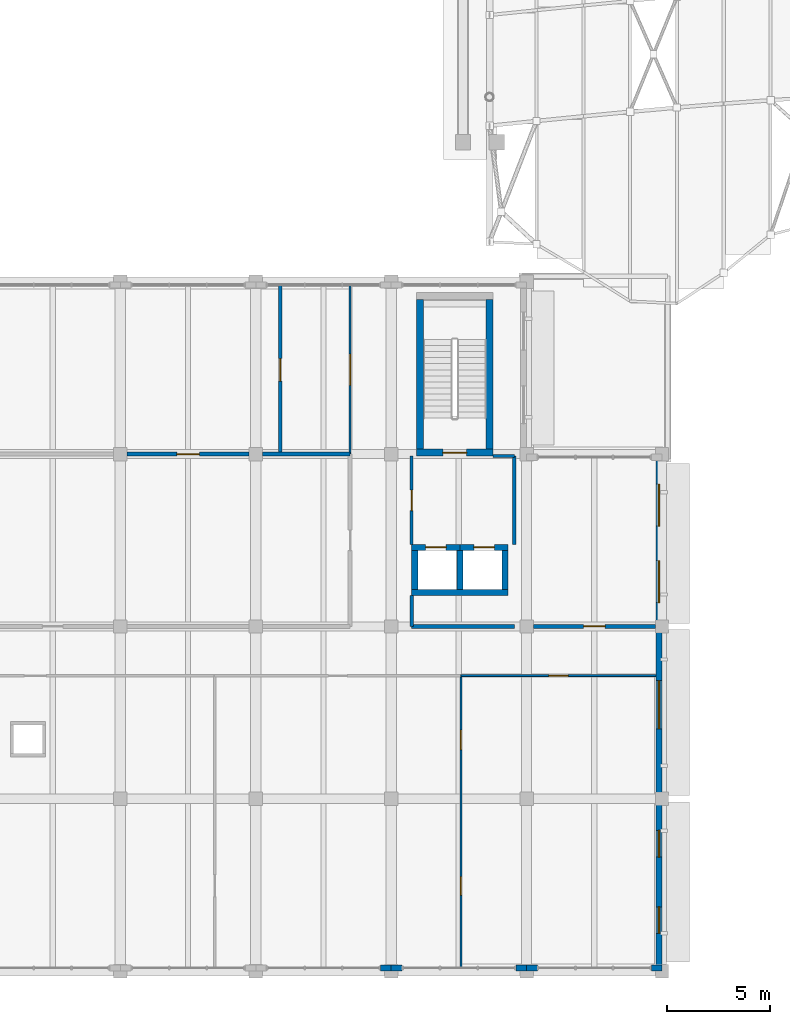
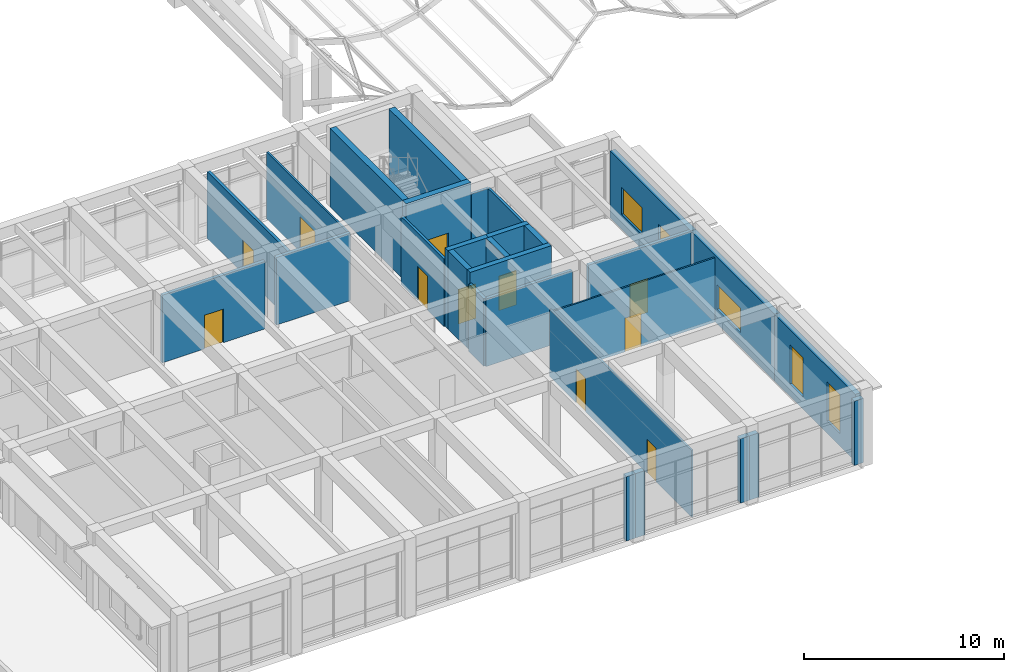
# One storey, part 51 of 79: 29 walls, 11 doors, 5 windows, 16 openings.
"""IFC4 building model written with IfcOpenShell, lengths in metres."""

from ifc_helpers import new_model, si_unit, direction, frame, frame_2d, origin, place, context, subcontext, project, spatial, rectangle, extrude, material, layer, layer_set, type_object, element, fill, save


model = new_model("IFC4")

# Units and contexts
model_context = context("Model", 3, precision=1e-05, world=origin(), true_north=direction((0.0, 1.0)))
body_context = subcontext(model_context, "Body", "Model", "MODEL_VIEW")
ifc_project = project(units=[si_unit("LENGTHUNIT", "METRE"), si_unit("AREAUNIT", "SQUARE_METRE"), si_unit("VOLUMEUNIT", "CUBIC_METRE"), si_unit("PLANEANGLEUNIT", "RADIAN"), si_unit("MASSUNIT", "GRAM", prefix="KILO")], contexts=[model_context])

# Site, building, storey
site_placement = place(None, origin())
site = spatial("IfcSite", under=ifc_project, at=site_placement, CompositionType="ELEMENT")
building_placement = place(site_placement, origin())
building = spatial("IfcBuilding", under=site, at=building_placement, Name="Kolvaren Faculty of Natural Sciences", CompositionType="ELEMENT")
storey_placement = place(building_placement, frame((0.0, 0.0, 10.199951171875)))
storey = spatial("IfcBuildingStorey", under=building, at=storey_placement, Name="L02", CompositionType="ELEMENT", Elevation=10.199951171875)

# Wall, opening, door
ifc_material_1 = material(Name="Concrete C40/50", Category="concrete")
ifc_layer_1 = layer(ifc_material_1, 0.35009765625)
ifc_layer_set_1 = layer_set([ifc_layer_1], Name="Concrete C40/50")
wall_type_1 = type_object("IfcWallType", Name="CoreShearWall_350", PredefinedType="SHEAR", material=ifc_layer_set_1)
wall_1_placement = place(storey_placement, frame((34.425048828125, 33.875, 0.0), z_axis=(0.0, 0.0, 1.0), x_axis=(1.0, 0.0, 0.0)))
wall_1 = element("IfcWall", 1, at=wall_1_placement, inside=storey, type_object=wall_type_1, Name="L02 CORE-C4 stair shear wall S", PredefinedType="SHEAR", context=body_context, shape_type="SweptSolid", body=[
    extrude(rectangle(XDim=3.75, YDim=0.35009765625, at=frame_2d((1.875, 0.0))), origin(), (0.0, 0.0, 1.0), 4.800048828125),
])
opening_1_placement = place(wall_1_placement, frame((1.300048828125, 0.0, 0.0)))
opening_1 = element("IfcOpeningElement", 2, at=opening_1_placement, cuts=wall_1, Name="Opening FD90", PredefinedType="OPENING", context=body_context, shape_type="SweptSolid", body=[
    extrude(rectangle(XDim=1.14990234375, YDim=2.14990234375, at=frame_2d((0.574951171875, 1.074951171875))), frame((0.0, 0.18505859375, 0.0), z_axis=(0.0, -1.0, 0.0), x_axis=(1.0, 0.0, 0.0)), (0.0, 0.0, 1.0), 0.3701171875),
])
ifc_material_2 = material(Name="Fire-rated solid-core hardwood door leaf in steel frame", Category="steel")
door_type_1 = type_object("IfcDoorType", Name="StairCoreFireDoor_1150x2150", OperationType="NOTDEFINED", PredefinedType="DOOR", material=ifc_material_2)
door_1_placement = place(opening_1_placement, origin())
door_1 = element("IfcDoor", 3, at=door_1_placement, inside=storey, type_object=door_type_1, Name="D-ST-ST-4-L02", OperationType="SINGLE_SWING_RIGHT", OverallHeight=2.14990234375, OverallWidth=1.14990234375, PredefinedType="DOOR", context=body_context, shape_type="SweptSolid", body=[
    extrude(rectangle(XDim=1.14990234375, YDim=2.14990234375, at=frame_2d((0.574951171875, 1.074951171875))), frame((0.0, 0.02490234375, 0.0), z_axis=(0.0, -1.0, 0.0), x_axis=(1.0, 0.0, 0.0)), (0.0, 0.0, 1.0), 0.050048828125),
])
fill(opening_1, door_1)

# Walls
for number, where, z_axis, x_axis, name in (
    (4, (34.60009765625, 34.050048828125, 0.0), (0.0, 0.0, 1.0), (0.0, 1.0, 0.0), "L02 CORE-C4 stair shear wall W"),
    (5, (38.0, 34.050048828125, 0.0), (0.0, 0.0, 1.0), (0.0, 1.0, 0.0), "L02 CORE-C4 stair shear wall E"),
):
    element("IfcWall", number, at=place(storey_placement, frame(where, z_axis=z_axis, x_axis=x_axis)), inside=storey, type_object=wall_type_1, Name=name, PredefinedType="SHEAR", context=body_context, shape_type="SweptSolid", body=[
        extrude(rectangle(XDim=7.27490234375, YDim=0.35009765625, at=frame_2d((3.637451171875, 0.0))), origin(), (0.0, 0.0, 1.0), 4.800048828125),
    ])

# Wall, opening, door
ifc_material_3 = material(Name="Acoustic mineral-wool insulated gypsum partition")
ifc_layer_2 = layer(ifc_material_3, 0.094970703125)
ifc_layer_set_2 = layer_set([ifc_layer_2], Name="Acoustic mineral-wool insulated gypsum partition")
wall_type_2 = type_object("IfcWallType", Name="CubiclePartition_095", PredefinedType="PARTITIONING", material=ifc_layer_set_2)
wall_2_placement = place(storey_placement, frame((36.60009765625, 23.0, 0.0), z_axis=(0.0, 0.0, 1.0), x_axis=(1.0, 0.0, 0.0)))
wall_2 = element("IfcWall", 6, at=wall_2_placement, inside=storey, type_object=wall_type_2, Name="L02 interior partition PW-095", PredefinedType="PARTITIONING", context=body_context, shape_type="SweptSolid", body=[
    extrude(rectangle(XDim=9.497802734375, YDim=0.094970703125, at=frame_2d((4.7490234375, 0.0))), origin(), (0.0, 0.0, 1.0), 3.93505859375),
])
opening_2_placement = place(wall_2_placement, frame((4.27392578125, 0.0, 0.0)))
opening_2 = element("IfcOpeningElement", 7, at=opening_2_placement, cuts=wall_2, Name="Opening ID-07", PredefinedType="OPENING", context=body_context, shape_type="SweptSolid", body=[
    extrude(rectangle(XDim=0.949951171875, YDim=2.06005859375, at=frame_2d((0.47509765625, 1.030029296875))), frame((0.0, 0.057373046875, 0.0), z_axis=(0.0, -1.0, 0.0), x_axis=(1.0, 0.0, 0.0)), (0.0, 0.0, 1.0), 0.114990234375),
])
ifc_material_4 = material(Name="Solid-core hardwood veneer door leaf in steel frame", Category="steel")
door_type_2 = type_object("IfcDoorType", Name="InteriorRoomDoor_950x2060", OperationType="NOTDEFINED", PredefinedType="DOOR", material=ifc_material_4)
door_2_placement = place(opening_2_placement, origin())
door_2 = element("IfcDoor", 8, at=door_2_placement, inside=storey, type_object=door_type_2, Name="D-L02-0193", OperationType="SINGLE_SWING_LEFT", OverallHeight=2.06005859375, OverallWidth=0.949951171875, PredefinedType="DOOR", context=body_context, shape_type="SweptSolid", body=[
    extrude(rectangle(XDim=0.949951171875, YDim=2.06005859375, at=frame_2d((0.47509765625, 1.030029296875))), frame((0.0, 0.02490234375, 0.0), z_axis=(0.0, -1.0, 0.0), x_axis=(1.0, 0.0, 0.0)), (0.0, 0.0, 1.0), 0.050048828125),
])
fill(opening_2, door_2)

# Wall, openings, windows
ifc_material_5 = material(Name="Sandstone-faced insulated cavity masonry", Category="masonry")
ifc_layer_3 = layer(ifc_material_5, 0.300048828125)
ifc_layer_set_3 = layer_set([ifc_layer_3], Name="Sandstone-faced insulated cavity masonry")
wall_type_3 = type_object("IfcWallType", Name="ExteriorCavityWall_300", PredefinedType="STANDARD", material=ifc_layer_set_3)
wall_3_placement = place(storey_placement, frame((46.25, 33.5, 0.0), z_axis=(0.0, 0.0, 1.0), x_axis=(0.0, -1.0, 0.0)))
wall_3 = element("IfcWall", 9, at=wall_3_placement, inside=storey, type_object=wall_type_3, Name="L02 exterior masonry wall EW-300 (333)", PredefinedType="STANDARD", context=body_context, shape_type="SweptSolid", body=[
    extrude(rectangle(XDim=8.10009765625, YDim=0.300048828125, at=frame_2d((4.050048828125, 0.0))), origin(), (0.0, 0.0, 1.0), 4.0849609375),
])
opening_3_placement = place(wall_3_placement, frame((1.162109375, 0.0, 0.89990234375)))
opening_3 = element("IfcOpeningElement", 10, at=opening_3_placement, cuts=wall_3, Name="Opening WIN-17", PredefinedType="OPENING", context=body_context, shape_type="SweptSolid", body=[
    extrude(rectangle(XDim=2.050048828125, YDim=1.64990234375, at=frame_2d((1.02490234375, 0.824951171875))), frame((0.0, 0.159912109375, 0.0), z_axis=(0.0, -1.0, 0.0), x_axis=(1.0, 0.0, 0.0)), (0.0, 0.0, 1.0), 0.320068359375),
])
opening_4_placement = place(wall_3_placement, frame((4.887939453125, 0.0, 0.89990234375)))
opening_4 = element("IfcOpeningElement", 11, at=opening_4_placement, cuts=wall_3, Name="Opening WIN-17", PredefinedType="OPENING", context=body_context, shape_type="SweptSolid", body=[
    extrude(rectangle(XDim=2.050048828125, YDim=1.64990234375, at=frame_2d((1.02490234375, 0.824951171875))), frame((0.0, 0.159912109375, 0.0), z_axis=(0.0, -1.0, 0.0), x_axis=(1.0, 0.0, 0.0)), (0.0, 0.0, 1.0), 0.320068359375),
])
ifc_material_6 = material(Name="Double low-E solar control insulated glazing", Category="glass")
window_type_1 = type_object("IfcWindowType", Name="AluWindow_WIN17_2050x1650", PartitioningType="SINGLE_PANEL", PredefinedType="WINDOW", material=ifc_material_6)
window_1_placement = place(opening_3_placement, origin())
window_1 = element("IfcWindow", 12, at=window_1_placement, inside=storey, type_object=window_type_1, Name="WIN-L02-0258", OverallHeight=1.64990234375, OverallWidth=2.050048828125, PartitioningType="SINGLE_PANEL", PredefinedType="WINDOW", context=body_context, shape_type="SweptSolid", body=[
    extrude(rectangle(XDim=2.050048828125, YDim=1.64990234375, at=frame_2d((1.02490234375, 0.824951171875))), frame((0.0, 0.030029296875, 0.0), z_axis=(0.0, -1.0, 0.0), x_axis=(1.0, 0.0, 0.0)), (0.0, 0.0, 1.0), 0.06005859375),
])
fill(opening_3, window_1)
window_2_placement = place(opening_4_placement, origin())
window_2 = element("IfcWindow", 13, at=window_2_placement, inside=storey, type_object=window_type_1, Name="WIN-L02-0259", OverallHeight=1.64990234375, OverallWidth=2.050048828125, PartitioningType="SINGLE_PANEL", PredefinedType="WINDOW", context=body_context, shape_type="SweptSolid", body=[
    extrude(rectangle(XDim=2.050048828125, YDim=1.64990234375, at=frame_2d((1.02490234375, 0.824951171875))), frame((0.0, 0.030029296875, 0.0), z_axis=(0.0, -1.0, 0.0), x_axis=(1.0, 0.0, 0.0)), (0.0, 0.0, 1.0), 0.06005859375),
])
fill(opening_4, window_2)

# Wall, opening, window
wall_4_placement = place(storey_placement, frame((46.25, 25.39990234375, 0.0), z_axis=(0.0, 0.0, 1.0), x_axis=(0.0, -1.0, 0.0)))
wall_4 = element("IfcWall", 14, at=wall_4_placement, inside=storey, type_object=wall_type_3, Name="L02 exterior masonry wall EW-300 (334)", PredefinedType="STANDARD", context=body_context, shape_type="SweptSolid", body=[
    extrude(rectangle(XDim=8.39990234375, YDim=0.300048828125, at=frame_2d((4.199951171875, 0.0))), origin(), (0.0, 0.0, 1.0), 4.0849609375),
])
opening_5_placement = place(wall_4_placement, frame((2.639892578125, 0.0, 0.89990234375)))
opening_5 = element("IfcOpeningElement", 15, at=opening_5_placement, cuts=wall_4, Name="Opening WIN-18", PredefinedType="OPENING", context=body_context, shape_type="SweptSolid", body=[
    extrude(rectangle(XDim=2.35009765625, YDim=1.5, at=frame_2d((1.175048828125, 0.75))), frame((0.0, 0.159912109375, 0.0), z_axis=(0.0, -1.0, 0.0), x_axis=(1.0, 0.0, 0.0)), (0.0, 0.0, 1.0), 0.320068359375),
])
window_type_2 = type_object("IfcWindowType", Name="AluWindow_WIN18_2350x1500", PartitioningType="SINGLE_PANEL", PredefinedType="WINDOW", material=ifc_material_6)
window_3_placement = place(opening_5_placement, origin())
window_3 = element("IfcWindow", 16, at=window_3_placement, inside=storey, type_object=window_type_2, Name="WIN-L02-0260", OverallHeight=1.5, OverallWidth=2.35009765625, PartitioningType="SINGLE_PANEL", PredefinedType="WINDOW", context=body_context, shape_type="SweptSolid", body=[
    extrude(rectangle(XDim=2.35009765625, YDim=1.5, at=frame_2d((1.175048828125, 0.75))), frame((0.0, 0.030029296875, 0.0), z_axis=(0.0, -1.0, 0.0), x_axis=(1.0, 0.0, 0.0)), (0.0, 0.0, 1.0), 0.06005859375),
])
fill(opening_5, window_3)

# Wall, openings, windows
wall_5_placement = place(storey_placement, frame((46.25, 17.0, 0.0), z_axis=(0.0, 0.0, 1.0), x_axis=(0.0, -1.0, 0.0)))
wall_5 = element("IfcWall", 17, at=wall_5_placement, inside=storey, type_object=wall_type_3, Name="L02 exterior masonry wall EW-300 (335)", PredefinedType="STANDARD", context=body_context, shape_type="SweptSolid", body=[
    extrude(rectangle(XDim=8.10009765625, YDim=0.300048828125, at=frame_2d((4.050048828125, 0.0))), origin(), (0.0, 0.0, 1.0), 4.0849609375),
])
opening_6_placement = place(wall_5_placement, frame((1.537109375, 0.0, 0.75)))
opening_6 = element("IfcOpeningElement", 18, at=opening_6_placement, cuts=wall_5, Name="Opening WIN-19", PredefinedType="OPENING", context=body_context, shape_type="SweptSolid", body=[
    extrude(rectangle(XDim=1.300048828125, YDim=2.39990234375, at=frame_2d((0.64990234375, 1.199951171875))), frame((0.0, 0.159912109375, 0.0), z_axis=(0.0, -1.0, 0.0), x_axis=(1.0, 0.0, 0.0)), (0.0, 0.0, 1.0), 0.320068359375),
])
opening_7_placement = place(wall_5_placement, frame((5.262939453125, 0.0, 0.75)))
opening_7 = element("IfcOpeningElement", 19, at=opening_7_placement, cuts=wall_5, Name="Opening WIN-19", PredefinedType="OPENING", context=body_context, shape_type="SweptSolid", body=[
    extrude(rectangle(XDim=1.300048828125, YDim=2.39990234375, at=frame_2d((0.64990234375, 1.199951171875))), frame((0.0, 0.159912109375, 0.0), z_axis=(0.0, -1.0, 0.0), x_axis=(1.0, 0.0, 0.0)), (0.0, 0.0, 1.0), 0.320068359375),
])
window_type_3 = type_object("IfcWindowType", Name="AluWindow_WIN19_1300x2400", PartitioningType="SINGLE_PANEL", PredefinedType="WINDOW", material=ifc_material_6)
window_4_placement = place(opening_6_placement, origin())
window_4 = element("IfcWindow", 20, at=window_4_placement, inside=storey, type_object=window_type_3, Name="WIN-L02-0261", OverallHeight=2.39990234375, OverallWidth=1.300048828125, PartitioningType="SINGLE_PANEL", PredefinedType="WINDOW", context=body_context, shape_type="SweptSolid", body=[
    extrude(rectangle(XDim=1.300048828125, YDim=2.39990234375, at=frame_2d((0.64990234375, 1.199951171875))), frame((0.0, 0.030029296875, 0.0), z_axis=(0.0, -1.0, 0.0), x_axis=(1.0, 0.0, 0.0)), (0.0, 0.0, 1.0), 0.06005859375),
])
fill(opening_6, window_4)
window_5_placement = place(opening_7_placement, origin())
window_5 = element("IfcWindow", 21, at=window_5_placement, inside=storey, type_object=window_type_3, Name="WIN-L02-0262", OverallHeight=2.39990234375, OverallWidth=1.300048828125, PartitioningType="SINGLE_PANEL", PredefinedType="WINDOW", context=body_context, shape_type="SweptSolid", body=[
    extrude(rectangle(XDim=1.300048828125, YDim=2.39990234375, at=frame_2d((0.64990234375, 1.199951171875))), frame((0.0, 0.030029296875, 0.0), z_axis=(0.0, -1.0, 0.0), x_axis=(1.0, 0.0, 0.0)), (0.0, 0.0, 1.0), 0.06005859375),
])
fill(opening_7, window_5)

# Walls
for number, where, z_axis, x_axis, name in (
    (22, (46.39990234375, 8.75, 0.0), (0.0, 0.0, 1.0), (-1.0, 0.0, 0.0), "L02 curtain-wall pier stub 336"),
    (23, (40.320068359375, 8.75, 0.0), (0.0, 0.0, 1.0), (-1.0, 0.0, 0.0), "L02 curtain-wall pier stub 337"),
    (24, (39.800048828125, 8.75, 0.0), (0.0, 0.0, 1.0), (-1.0, 0.0, 0.0), "L02 curtain-wall pier stub 338"),
    (25, (33.719970703125, 8.75, 0.0), (0.0, 0.0, 1.0), (-1.0, 0.0, 0.0), "L02 curtain-wall pier stub 339"),
    (26, (33.199951171875, 8.75, 0.0), (0.0, 0.0, 1.0), (-1.0, 0.0, 0.0), "L02 curtain-wall pier stub 340"),
):
    element("IfcWall", number, at=place(storey_placement, frame(where, z_axis=z_axis, x_axis=x_axis)), inside=storey, type_object=wall_type_3, Name=name, PredefinedType="STANDARD", context=body_context, shape_type="SweptSolid", body=[
        extrude(rectangle(XDim=0.52001953125, YDim=0.300048828125, at=frame_2d((0.260009765625, 0.0))), origin(), (0.0, 0.0, 1.0), 3.93505859375),
    ])
ifc_layer_4 = layer(ifc_material_3, 0.179931640625)
ifc_layer_set_4 = layer_set([ifc_layer_4], Name="Acoustic mineral-wool insulated gypsum partition")
wall_type_4 = type_object("IfcWallType", Name="LabPartitionWall_180", PredefinedType="PARTITIONING", material=ifc_layer_set_4)
wall_6_placement = place(storey_placement, frame((34.199951171875, 25.39990234375, 0.0), z_axis=(0.0, 0.0, 1.0), x_axis=(0.0, 1.0, 0.0)))
element("IfcWall", 27, at=wall_6_placement, inside=storey, type_object=wall_type_4, Name="L02 interior partition PW-180", PredefinedType="PARTITIONING", context=body_context, shape_type="SweptSolid", body=[
    extrude(rectangle(XDim=1.498046875, YDim=0.179931640625, at=frame_2d((0.7490234375, 0.0))), origin(), (0.0, 0.0, 1.0), 4.135009765625),
])

# Wall, opening, door
wall_7_placement = place(storey_placement, frame((46.074951171875, 25.39990234375, 0.0), z_axis=(0.0, 0.0, 1.0), x_axis=(-1.0, 0.0, 0.0)))
wall_7 = element("IfcWall", 28, at=wall_7_placement, inside=storey, type_object=wall_type_4, Name="L02 interior partition PW-180", PredefinedType="PARTITIONING", context=body_context, shape_type="SweptSolid", body=[
    extrude(rectangle(XDim=5.949951171875, YDim=0.179931640625, at=frame_2d((2.97509765625, 0.0))), origin(), (0.0, 0.0, 1.0), 4.135009765625),
])
opening_8_placement = place(wall_7_placement, frame((2.449951171875, 0.0, 0.0)))
opening_8 = element("IfcOpeningElement", 29, at=opening_8_placement, cuts=wall_7, Name="Opening ID-09", PredefinedType="OPENING", context=body_context, shape_type="SweptSolid", body=[
    extrude(rectangle(XDim=1.050048828125, YDim=2.06005859375, at=frame_2d((0.52490234375, 1.030029296875))), frame((0.0, 0.099853515625, 0.0), z_axis=(0.0, -1.0, 0.0), x_axis=(1.0, 0.0, 0.0)), (0.0, 0.0, 1.0), 0.199951171875),
])
door_type_3 = type_object("IfcDoorType", Name="InteriorRoomDoor_1050x2060", OperationType="NOTDEFINED", PredefinedType="DOOR", material=ifc_material_4)
door_3_placement = place(opening_8_placement, origin())
door_3 = element("IfcDoor", 30, at=door_3_placement, inside=storey, type_object=door_type_3, Name="D-L02-0197", OperationType="SINGLE_SWING_LEFT", OverallHeight=2.06005859375, OverallWidth=1.050048828125, PredefinedType="DOOR", context=body_context, shape_type="SweptSolid", body=[
    extrude(rectangle(XDim=1.050048828125, YDim=2.06005859375, at=frame_2d((0.52490234375, 1.030029296875))), frame((0.0, 0.02490234375, 0.0), z_axis=(0.0, -1.0, 0.0), x_axis=(1.0, 0.0, 0.0)), (0.0, 0.0, 1.0), 0.050048828125),
])
fill(opening_8, door_3)

# Wall
wall_8_placement = place(storey_placement, frame((39.199951171875, 25.39990234375, 0.0), z_axis=(0.0, 0.0, 1.0), x_axis=(-1.0, 0.0, 0.0)))
element("IfcWall", 31, at=wall_8_placement, inside=storey, type_object=wall_type_4, Name="L02 interior partition PW-180", PredefinedType="PARTITIONING", context=body_context, shape_type="SweptSolid", body=[
    extrude(rectangle(XDim=5.0, YDim=0.179931640625, at=frame_2d((2.5, 0.0))), origin(), (0.0, 0.0, 1.0), 4.135009765625),
])

# Wall, opening, door
ifc_layer_5 = layer(ifc_material_3, 0.18505859375)
ifc_layer_set_5 = layer_set([ifc_layer_5], Name="Acoustic mineral-wool insulated gypsum partition")
wall_type_5 = type_object("IfcWallType", Name="LabPartitionWall_185", PredefinedType="PARTITIONING", material=ifc_layer_set_5)
wall_9_placement = place(storey_placement, frame((20.324951171875, 33.800048828125, 0.0), z_axis=(0.0, 0.0, 1.0), x_axis=(1.0, 0.0, 0.0)))
wall_9 = element("IfcWall", 32, at=wall_9_placement, inside=storey, type_object=wall_type_5, Name="L02 interior partition PW-185", PredefinedType="PARTITIONING", context=body_context, shape_type="SweptSolid", body=[
    extrude(rectangle(XDim=5.949951171875, YDim=0.18505859375, at=frame_2d((2.97509765625, 0.0))), origin(), (0.0, 0.0, 1.0), 4.135009765625),
])
opening_9_placement = place(wall_9_placement, frame((2.425048828125, 0.0, 0.0)))
opening_9 = element("IfcOpeningElement", 33, at=opening_9_placement, cuts=wall_9, Name="Opening ID-10", PredefinedType="OPENING", context=body_context, shape_type="SweptSolid", body=[
    extrude(rectangle(XDim=1.10009765625, YDim=2.06005859375, at=frame_2d((0.550048828125, 1.030029296875))), frame((0.0, 0.1025390625, 0.0), z_axis=(0.0, -1.0, 0.0), x_axis=(1.0, 0.0, 0.0)), (0.0, 0.0, 1.0), 0.205078125),
])
door_type_4 = type_object("IfcDoorType", Name="InteriorRoomDoor_1100x2060", OperationType="NOTDEFINED", PredefinedType="DOOR", material=ifc_material_4)
door_4_placement = place(opening_9_placement, origin())
door_4 = element("IfcDoor", 34, at=door_4_placement, inside=storey, type_object=door_type_4, Name="D-L02-0199", OperationType="SINGLE_SWING_LEFT", OverallHeight=2.06005859375, OverallWidth=1.10009765625, PredefinedType="DOOR", context=body_context, shape_type="SweptSolid", body=[
    extrude(rectangle(XDim=1.10009765625, YDim=2.06005859375, at=frame_2d((0.550048828125, 1.030029296875))), frame((0.0, 0.02490234375, 0.0), z_axis=(0.0, -1.0, 0.0), x_axis=(1.0, 0.0, 0.0)), (0.0, 0.0, 1.0), 0.050048828125),
])
fill(opening_9, door_4)

# Walls
wall_10_placement = place(storey_placement, frame((26.925048828125, 33.800048828125, 0.0), z_axis=(0.0, 0.0, 1.0), x_axis=(1.0, 0.0, 0.0)))
element("IfcWall", 35, at=wall_10_placement, inside=storey, type_object=wall_type_5, Name="L02 interior partition PW-185", PredefinedType="PARTITIONING", context=body_context, shape_type="SweptSolid", body=[
    extrude(rectangle(XDim=4.27490234375, YDim=0.18505859375, at=frame_2d((2.137451171875, 0.0))), origin(), (0.0, 0.0, 1.0), 4.135009765625),
])
ifc_material_7 = material(Name="Double fire-rated gypsum board on 100 mm steel stud", Category="steel")
ifc_layer_6 = layer(ifc_material_7, 0.14990234375)
ifc_layer_set_6 = layer_set([ifc_layer_6], Name="Double fire-rated gypsum board on 100 mm steel stud")
wall_type_6 = type_object("IfcWallType", Name="RatedCorridorWall_150", PredefinedType="PARTITIONING", material=ifc_layer_set_6)
wall_11_placement = place(storey_placement, frame((38.175048828125, 33.699951171875, 0.0), z_axis=(0.0, 0.0, 1.0), x_axis=(1.0, 0.0, 0.0)))
element("IfcWall", 36, at=wall_11_placement, inside=storey, type_object=wall_type_6, Name="L02 interior partition LW-150", PredefinedType="PARTITIONING", context=body_context, shape_type="SweptSolid", body=[
    extrude(rectangle(XDim=1.02490234375, YDim=0.14990234375, at=frame_2d((0.512451171875, 0.0))), origin(), (0.0, 0.0, 1.0), 4.135009765625),
])
wall_12_placement = place(storey_placement, frame((39.199951171875, 33.699951171875, 0.0), z_axis=(0.0, 0.0, 1.0), x_axis=(0.0, -1.0, 0.0)))
element("IfcWall", 37, at=wall_12_placement, inside=storey, type_object=wall_type_6, Name="L02 interior partition LW-150", PredefinedType="PARTITIONING", context=body_context, shape_type="SweptSolid", body=[
    extrude(rectangle(XDim=4.300048828125, YDim=0.14990234375, at=frame_2d((2.14990234375, 0.0))), origin(), (0.0, 0.0, 1.0), 4.135009765625),
])

# Wall, opening, door
wall_13_placement = place(storey_placement, frame((34.199951171875, 29.402099609375, 0.0), z_axis=(0.0, 0.0, 1.0), x_axis=(0.0, 1.0, 0.0)))
wall_13 = element("IfcWall", 38, at=wall_13_placement, inside=storey, type_object=wall_type_6, Name="L02 interior partition LW-150", PredefinedType="PARTITIONING", context=body_context, shape_type="SweptSolid", body=[
    extrude(rectangle(XDim=4.2978515625, YDim=0.14990234375, at=frame_2d((2.14892578125, 0.0))), origin(), (0.0, 0.0, 1.0), 4.135009765625),
])
opening_10_placement = place(wall_13_placement, frame((1.64892578125, 0.0, 0.0)))
opening_10 = element("IfcOpeningElement", 39, at=opening_10_placement, cuts=wall_13, Name="Opening FD30", PredefinedType="OPENING", context=body_context, shape_type="SweptSolid", body=[
    extrude(rectangle(XDim=1.0, YDim=2.10009765625, at=frame_2d((0.5, 1.050048828125))), frame((0.0, 0.0849609375, 0.0), z_axis=(0.0, -1.0, 0.0), x_axis=(1.0, 0.0, 0.0)), (0.0, 0.0, 1.0), 0.169921875),
])
door_type_5 = type_object("IfcDoorType", Name="CorridorFireDoor_1000x2100", OperationType="NOTDEFINED", PredefinedType="DOOR", material=ifc_material_2)
door_5_placement = place(opening_10_placement, origin())
door_5 = element("IfcDoor", 40, at=door_5_placement, inside=storey, type_object=door_type_5, Name="D-L02-0174", OperationType="SINGLE_SWING_RIGHT", OverallHeight=2.10009765625, OverallWidth=1.0, PredefinedType="DOOR", context=body_context, shape_type="SweptSolid", body=[
    extrude(rectangle(XDim=1.0, YDim=2.10009765625, at=frame_2d((0.5, 1.050048828125))), frame((0.0, 0.02490234375, 0.0), z_axis=(0.0, -1.0, 0.0), x_axis=(1.0, 0.0, 0.0)), (0.0, 0.0, 1.0), 0.050048828125),
])
fill(opening_10, door_5)

ifc_layer_7 = layer(ifc_material_3, 0.169921875)
ifc_layer_set_7 = layer_set([ifc_layer_7], Name="Acoustic mineral-wool insulated gypsum partition")
wall_type_7 = type_object("IfcWallType", Name="SeminarPartitionWall_170", PredefinedType="PARTITIONING", material=ifc_layer_set_7)
wall_14_placement = place(storey_placement, frame((27.800048828125, 42.02001953125, 0.0), z_axis=(0.0, 0.0, 1.0), x_axis=(0.0, -1.0, 0.0)))
wall_14 = element("IfcWall", 41, at=wall_14_placement, inside=storey, type_object=wall_type_7, Name="L02 interior partition PW-170", PredefinedType="PARTITIONING", context=body_context, shape_type="SweptSolid", body=[
    extrude(rectangle(XDim=8.219970703125, YDim=0.169921875, at=frame_2d((4.10986328125, 0.0))), origin(), (0.0, 0.0, 1.0), 4.0849609375),
])
opening_11_placement = place(wall_14_placement, frame((3.56005859375, 0.0, 0.0)))
opening_11 = element("IfcOpeningElement", 42, at=opening_11_placement, cuts=wall_14, Name="Opening ID-10", PredefinedType="OPENING", context=body_context, shape_type="SweptSolid", body=[
    extrude(rectangle(XDim=1.10009765625, YDim=2.06005859375, at=frame_2d((0.550048828125, 1.030029296875))), frame((0.0, 0.094970703125, 0.0), z_axis=(0.0, -1.0, 0.0), x_axis=(1.0, 0.0, 0.0)), (0.0, 0.0, 1.0), 0.18994140625),
])
door_6_placement = place(opening_11_placement, origin())
door_6 = element("IfcDoor", 43, at=door_6_placement, inside=storey, type_object=door_type_4, Name="D-L02-0198", OperationType="SINGLE_SWING_RIGHT", OverallHeight=2.06005859375, OverallWidth=1.10009765625, PredefinedType="DOOR", context=body_context, shape_type="SweptSolid", body=[
    extrude(rectangle(XDim=1.10009765625, YDim=2.06005859375, at=frame_2d((0.550048828125, 1.030029296875))), frame((0.0, 0.02490234375, 0.0), z_axis=(0.0, -1.0, 0.0), x_axis=(1.0, 0.0, 0.0)), (0.0, 0.0, 1.0), 0.050048828125),
])
fill(opening_11, door_6)

# Wall
ifc_layer_8 = layer(ifc_material_1, 0.300048828125)
ifc_layer_set_8 = layer_set([ifc_layer_8], Name="Concrete C40/50")
wall_type_8 = type_object("IfcWallType", Name="ShaftShearWall_300", PredefinedType="SHEAR", material=ifc_layer_set_8)
wall_15_placement = place(storey_placement, frame((34.199951171875, 27.050048828125, 0.0), z_axis=(0.0, 0.0, 1.0), x_axis=(1.0, 0.0, 0.0)))
element("IfcWall", 44, at=wall_15_placement, inside=storey, type_object=wall_type_8, Name="L02 twin lift shaft wall S", PredefinedType="SHEAR", context=body_context, shape_type="SweptSolid", body=[
    extrude(rectangle(XDim=4.699951171875, YDim=0.300048828125, at=frame_2d((2.35009765625, 0.0))), origin(), (0.0, 0.0, 1.0), 4.800048828125),
])

# Wall, opening, door
wall_16_placement = place(storey_placement, frame((34.199951171875, 29.25, 0.0), z_axis=(0.0, 0.0, 1.0), x_axis=(1.0, 0.0, 0.0)))
wall_16 = element("IfcWall", 45, at=wall_16_placement, inside=storey, type_object=wall_type_8, Name="L02 lift PL-2 shaft wall N", PredefinedType="SHEAR", context=body_context, shape_type="SweptSolid", body=[
    extrude(rectangle(XDim=2.35009765625, YDim=0.300048828125, at=frame_2d((1.175048828125, 0.0))), origin(), (0.0, 0.0, 1.0), 4.800048828125),
])
opening_12_placement = place(wall_16_placement, frame((0.675048828125, 0.0, 0.0)))
opening_12 = element("IfcOpeningElement", 46, at=opening_12_placement, cuts=wall_16, Name="Opening LD-02", PredefinedType="OPENING", context=body_context, shape_type="SweptSolid", body=[
    extrude(rectangle(XDim=1.0, YDim=2.10009765625, at=frame_2d((0.5, 1.050048828125))), frame((0.0, 0.159912109375, 0.0), z_axis=(0.0, -1.0, 0.0), x_axis=(1.0, 0.0, 0.0)), (0.0, 0.0, 1.0), 0.320068359375),
])
ifc_material_8 = material(Name="Brushed stainless steel lift car and sliding door assembly", Category="steel")
door_type_6 = type_object("IfcDoorType", Name="LiftLandingSliding_1000x2100", OperationType="SLIDING_TO_LEFT", PredefinedType="DOOR", material=ifc_material_8)
door_7_placement = place(opening_12_placement, origin())
door_7 = element("IfcDoor", 47, at=door_7_placement, inside=storey, type_object=door_type_6, Name="D-LIFT-PL-2-L02", OperationType="SLIDING_TO_LEFT", OverallHeight=2.10009765625, OverallWidth=1.0, PredefinedType="DOOR", context=body_context, shape_type="SweptSolid", body=[
    extrude(rectangle(XDim=1.0, YDim=2.10009765625, at=frame_2d((0.5, 1.050048828125))), frame((0.0, 0.02490234375, 0.0), z_axis=(0.0, -1.0, 0.0), x_axis=(1.0, 0.0, 0.0)), (0.0, 0.0, 1.0), 0.050048828125),
])
fill(opening_12, door_7)

wall_17_placement = place(storey_placement, frame((36.550048828125, 29.25, 0.0), z_axis=(0.0, 0.0, 1.0), x_axis=(1.0, 0.0, 0.0)))
wall_17 = element("IfcWall", 48, at=wall_17_placement, inside=storey, type_object=wall_type_8, Name="L02 lift PL-4 shaft wall N", PredefinedType="SHEAR", context=body_context, shape_type="SweptSolid", body=[
    extrude(rectangle(XDim=2.349853515625, YDim=0.300048828125, at=frame_2d((1.1748046875, 0.0))), origin(), (0.0, 0.0, 1.0), 4.800048828125),
])
opening_13_placement = place(wall_17_placement, frame((0.675048828125, 0.0, 0.0)))
opening_13 = element("IfcOpeningElement", 49, at=opening_13_placement, cuts=wall_17, Name="Opening LD-02", PredefinedType="OPENING", context=body_context, shape_type="SweptSolid", body=[
    extrude(rectangle(XDim=1.0, YDim=2.10009765625, at=frame_2d((0.5, 1.050048828125))), frame((0.0, 0.159912109375, 0.0), z_axis=(0.0, -1.0, 0.0), x_axis=(1.0, 0.0, 0.0)), (0.0, 0.0, 1.0), 0.320068359375),
])
door_8_placement = place(opening_13_placement, origin())
door_8 = element("IfcDoor", 50, at=door_8_placement, inside=storey, type_object=door_type_6, Name="D-LIFT-PL-4-L02", OperationType="SLIDING_TO_LEFT", OverallHeight=2.10009765625, OverallWidth=1.0, PredefinedType="DOOR", context=body_context, shape_type="SweptSolid", body=[
    extrude(rectangle(XDim=1.0, YDim=2.10009765625, at=frame_2d((0.5, 1.050048828125))), frame((0.0, 0.02490234375, 0.0), z_axis=(0.0, -1.0, 0.0), x_axis=(1.0, 0.0, 0.0)), (0.0, 0.0, 1.0), 0.050048828125),
])
fill(opening_13, door_8)

# Walls
for number, where, z_axis, x_axis, name in (
    (51, (34.35009765625, 27.199951171875, 0.0), (0.0, 0.0, 1.0), (0.0, 1.0, 0.0), "L02 lift PL-2 shaft wall W"),
    (52, (36.550048828125, 27.199951171875, 0.0), (0.0, 0.0, 1.0), (0.0, 1.0, 0.0), "L02 twin lift divider wall"),
    (53, (38.75, 27.199951171875, 0.0), (0.0, 0.0, 1.0), (0.0, 1.0, 0.0), "L02 lift PL-4 shaft wall E"),
):
    element("IfcWall", number, at=place(storey_placement, frame(where, z_axis=z_axis, x_axis=x_axis)), inside=storey, type_object=wall_type_8, Name=name, PredefinedType="SHEAR", context=body_context, shape_type="SweptSolid", body=[
        extrude(rectangle(XDim=1.900146484375, YDim=0.300048828125, at=frame_2d((0.9501953125, 0.0))), origin(), (0.0, 0.0, 1.0), 4.800048828125),
    ])

# Wall, openings, doors
ifc_layer_9 = layer(ifc_material_3, 0.10498046875)
ifc_layer_set_9 = layer_set([ifc_layer_9], Name="Acoustic mineral-wool insulated gypsum partition")
wall_type_9 = type_object("IfcWallType", Name="WetRoomPartition_105", PredefinedType="PARTITIONING", material=ifc_layer_set_9)
wall_18_placement = place(storey_placement, frame((36.60009765625, 23.0, 0.0), z_axis=(0.0, 0.0, 1.0), x_axis=(0.0, -1.0, 0.0)))
wall_18 = element("IfcWall", 54, at=wall_18_placement, inside=storey, type_object=wall_type_9, Name="L02 interior partition PW-105", PredefinedType="PARTITIONING", context=body_context, shape_type="SweptSolid", body=[
    extrude(rectangle(XDim=14.219970703125, YDim=0.10498046875, at=frame_2d((7.10986328125, 0.0))), origin(), (0.0, 0.0, 1.0), 4.0849609375),
])
opening_14_placement = place(wall_18_placement, frame((9.788330078125, 0.0, 0.0)))
opening_14 = element("IfcOpeningElement", 55, at=opening_14_placement, cuts=wall_18, Name="Opening ID-06", PredefinedType="OPENING", context=body_context, shape_type="SweptSolid", body=[
    extrude(rectangle(XDim=0.89990234375, YDim=2.06005859375, at=frame_2d((0.449951171875, 1.030029296875))), frame((0.0, 0.0625, 0.0), z_axis=(0.0, -1.0, 0.0), x_axis=(1.0, 0.0, 0.0)), (0.0, 0.0, 1.0), 0.125),
])
opening_15_placement = place(wall_18_placement, frame((2.6533203125, 0.0, 0.0)))
opening_15 = element("IfcOpeningElement", 56, at=opening_15_placement, cuts=wall_18, Name="Opening ID-07", PredefinedType="OPENING", context=body_context, shape_type="SweptSolid", body=[
    extrude(rectangle(XDim=0.949951171875, YDim=2.06005859375, at=frame_2d((0.47509765625, 1.030029296875))), frame((0.0, 0.0625, 0.0), z_axis=(0.0, -1.0, 0.0), x_axis=(1.0, 0.0, 0.0)), (0.0, 0.0, 1.0), 0.125),
])
door_type_7 = type_object("IfcDoorType", Name="InteriorRoomDoor_900x2060", OperationType="NOTDEFINED", PredefinedType="DOOR", material=ifc_material_4)
door_9_placement = place(opening_14_placement, origin())
door_9 = element("IfcDoor", 57, at=door_9_placement, inside=storey, type_object=door_type_7, Name="D-L02-0192", OperationType="SINGLE_SWING_RIGHT", OverallHeight=2.06005859375, OverallWidth=0.89990234375, PredefinedType="DOOR", context=body_context, shape_type="SweptSolid", body=[
    extrude(rectangle(XDim=0.89990234375, YDim=2.06005859375, at=frame_2d((0.449951171875, 1.030029296875))), frame((0.0, 0.02490234375, 0.0), z_axis=(0.0, -1.0, 0.0), x_axis=(1.0, 0.0, 0.0)), (0.0, 0.0, 1.0), 0.050048828125),
])
fill(opening_14, door_9)
door_10_placement = place(opening_15_placement, origin())
door_10 = element("IfcDoor", 58, at=door_10_placement, inside=storey, type_object=door_type_2, Name="D-L02-0194", OperationType="SINGLE_SWING_RIGHT", OverallHeight=2.06005859375, OverallWidth=0.949951171875, PredefinedType="DOOR", context=body_context, shape_type="SweptSolid", body=[
    extrude(rectangle(XDim=0.949951171875, YDim=2.06005859375, at=frame_2d((0.47509765625, 1.030029296875))), frame((0.0, 0.02490234375, 0.0), z_axis=(0.0, -1.0, 0.0), x_axis=(1.0, 0.0, 0.0)), (0.0, 0.0, 1.0), 0.050048828125),
])
fill(opening_15, door_10)

# Wall, opening, door
wall_19_placement = place(storey_placement, frame((31.199951171875, 42.02001953125, 0.0), z_axis=(0.0, 0.0, 1.0), x_axis=(0.0, -1.0, 0.0)))
wall_19 = element("IfcWall", 59, at=wall_19_placement, inside=storey, type_object=wall_type_9, Name="L02 interior partition PW-105", PredefinedType="PARTITIONING", context=body_context, shape_type="SweptSolid", body=[
    extrude(rectangle(XDim=8.219970703125, YDim=0.10498046875, at=frame_2d((4.10986328125, 0.0))), origin(), (0.0, 0.0, 1.0), 4.0849609375),
])
opening_16_placement = place(wall_19_placement, frame((3.35009765625, 0.0, 0.0)))
opening_16 = element("IfcOpeningElement", 60, at=opening_16_placement, cuts=wall_19, Name="Opening ID-28", PredefinedType="OPENING", context=body_context, shape_type="SweptSolid", body=[
    extrude(rectangle(XDim=1.52001953125, YDim=2.139892578125, at=frame_2d((0.760009765625, 1.06982421875))), frame((0.0, 0.0625, 0.0), z_axis=(0.0, -1.0, 0.0), x_axis=(1.0, 0.0, 0.0)), (0.0, 0.0, 1.0), 0.125),
])
ifc_material_9 = material(Name="Thermally broken anodised aluminium glazed door", Category="aluminium")
door_type_8 = type_object("IfcDoorType", Name="InteriorRoomDoor_1520x2140", OperationType="DOUBLE_DOOR_SINGLE_SWING", PredefinedType="DOOR", material=ifc_material_9)
door_11_placement = place(opening_16_placement, origin())
door_11 = element("IfcDoor", 61, at=door_11_placement, inside=storey, type_object=door_type_8, Name="D-L02-0221", OperationType="DOUBLE_DOOR_SINGLE_SWING", OverallHeight=2.139892578125, OverallWidth=1.52001953125, PredefinedType="DOOR", context=body_context, shape_type="SweptSolid", body=[
    extrude(rectangle(XDim=1.52001953125, YDim=2.139892578125, at=frame_2d((0.760009765625, 1.06982421875))), frame((0.0, 0.02490234375, 0.0), z_axis=(0.0, -1.0, 0.0), x_axis=(1.0, 0.0, 0.0)), (0.0, 0.0, 1.0), 0.050048828125),
])
fill(opening_16, door_11)

save(model, "model.ifc")
